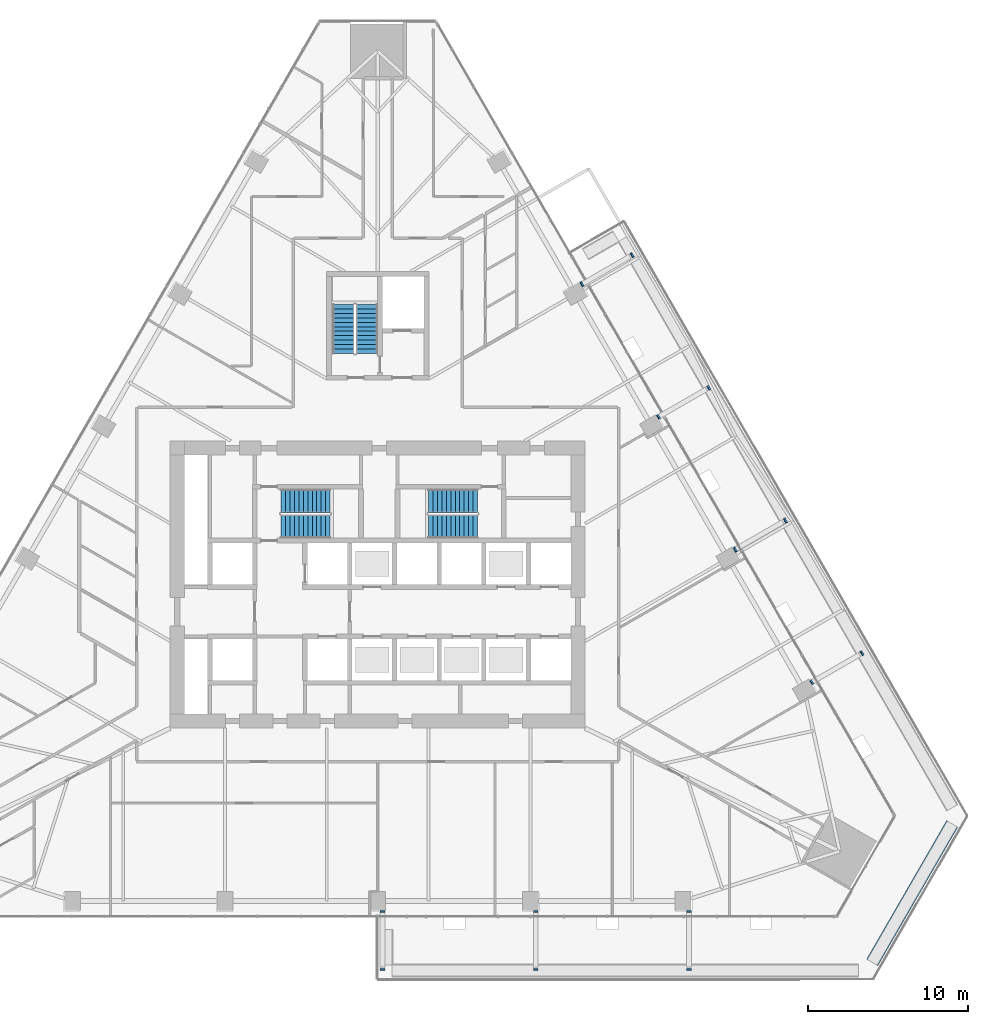
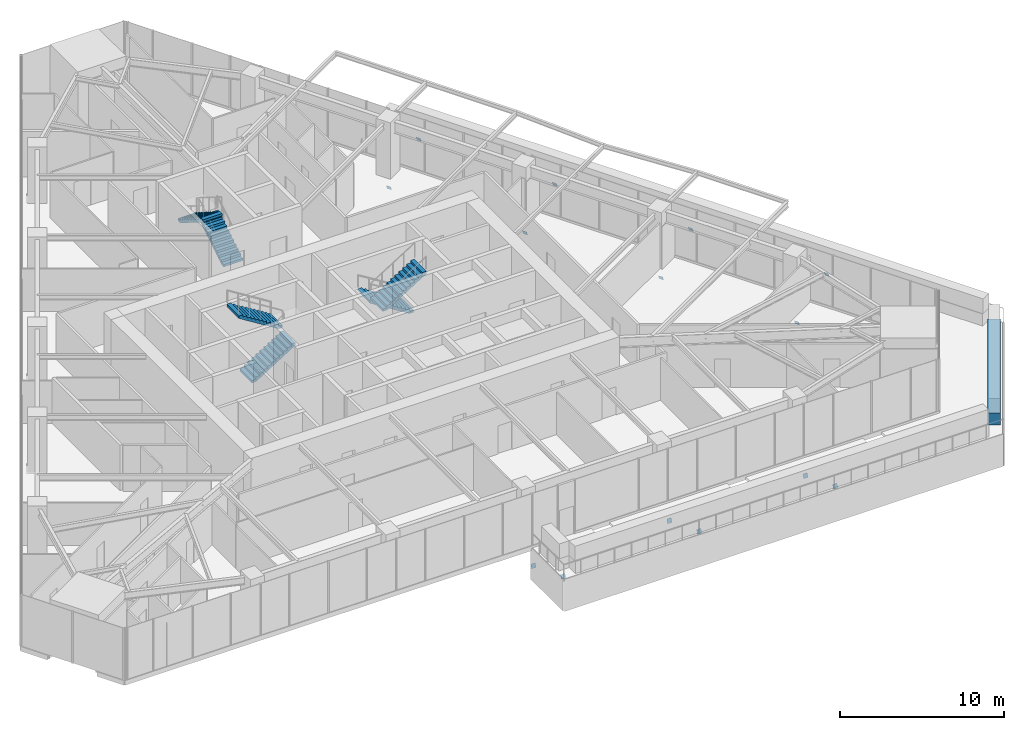
# One storey, part 26 of 29: 14 discrete accessories, 6 stair flights, 1 wall, 3 elements without a shape of their own.
"""IFC4 building model written with IfcOpenShell, lengths in metres."""

from ifc_helpers import new_model, si_unit, direction, frame, frame_2d, origin, place, context, subcontext, project, spatial, polyline, rectangle, outline, extrude, material, layer, layer_set, type_object, element, aggregate, save


model = new_model("IFC4")

# Units and contexts
model_context = context("Model", 3, precision=1e-05, world=origin(), true_north=direction((0.0, 1.0)))
body_context = subcontext(model_context, "Body", "Model", "MODEL_VIEW")
ifc_project = project(units=[si_unit("LENGTHUNIT", "METRE"), si_unit("AREAUNIT", "SQUARE_METRE"), si_unit("VOLUMEUNIT", "CUBIC_METRE"), si_unit("PLANEANGLEUNIT", "RADIAN"), si_unit("MASSUNIT", "GRAM", prefix="KILO")], contexts=[model_context])

# Site, building, storey
site_placement = place(None, origin())
site = spatial("IfcSite", under=ifc_project, at=site_placement, CompositionType="ELEMENT")
building_placement = place(site_placement, origin())
building = spatial("IfcBuilding", under=site, at=building_placement, Name="Firuza Gate Tower and Library", CompositionType="ELEMENT")
storey_placement = place(building_placement, frame((0.0, 0.0, 48.39990234375)))
storey = spatial("IfcBuildingStorey", under=building, at=storey_placement, Name="L10", CompositionType="ELEMENT", Elevation=48.39990234375)

# Wall
ifc_material_1 = material(Name="Concrete C40/50", Category="concrete")
ifc_layer_1 = layer(ifc_material_1, 0.800048828125)
ifc_layer_set_1 = layer_set([ifc_layer_1], Name="Planter wall 800")
wall_type = type_object("IfcWallType", Name="Planter wall 800", PredefinedType="SOLIDWALL", material=ifc_layer_set_1)
wall_placement = place(storey_placement, frame((105.98486328125, 51.32666015625, 0.0), z_axis=(0.0, 0.0, 1.0), x_axis=(0.49999175339, 0.866030164915, 0.0)))
element("IfcWall", 1, at=wall_placement, inside=storey, type_object=wall_type, Name="PLANTER L10 3", PredefinedType="SOLIDWALL", context=body_context, shape_type="SweptSolid", body=[
    extrude(rectangle(XDim=10.018798828125, YDim=0.800048828125, at=frame_2d((5.00927734375, 0.0))), origin(), (0.0, 0.0, 1.0), 0.900146484375),
])

# Stair, stair flights
ifc_material_2 = material(Name="Concrete C35/45", Category="concrete")
stair_type_1 = type_object("IfcStairType", Name="Exit stair ST14", PredefinedType="HALF_TURN_STAIR", material=ifc_material_2)
placement = place(storey_placement, origin())
stair_1 = element("IfcStair", 2, at=placement, inside=storey, type_object=stair_type_1, Name="L10 Stair ST3", PredefinedType="HALF_TURN_STAIR")
ifc_material_3 = material(Name="Concrete C35/45", Category="concrete")
stair_flight_type_1 = type_object("IfcStairFlightType", Name="Stair flight 12 risers 175 width 1370", PredefinedType="STRAIGHT", material=ifc_material_3)
stair_flight_1_placement = place(storey_placement, frame((74.31494140625, 89.469970703125, 0.0), z_axis=(0.0, 0.0, 1.0), x_axis=(0.0, 1.0, 0.0)))
stair_flight_1 = element("IfcStairFlight", 3, at=stair_flight_1_placement, type_object=stair_flight_type_1, Name="ST3 flight 1", NumberOfRisers=12, NumberOfTreads=11, PredefinedType="STRAIGHT", RiserHeight=0.175, TreadLength=0.28, context=body_context, shape_type="SweptSolid", body=[
    extrude(outline(polyline([(0.0, 0.0), (0.0, 0.175048828125), (0.280029296875, 0.175048828125), (0.280029296875, 0.35009765625), (0.56005859375, 0.35009765625), (0.56005859375, 0.52490234375), (0.840087890625, 0.52490234375), (0.840087890625, 0.699951171875), (1.1201171875, 0.699951171875), (1.1201171875, 0.875), (1.39990234375, 0.875), (1.39990234375, 1.050048828125), (1.679931640625, 1.050048828125), (1.679931640625, 1.22509765625), (1.9599609375, 1.22509765625), (1.9599609375, 1.39990234375), (2.239990234375, 1.39990234375), (2.239990234375, 1.574951171875), (2.52001953125, 1.574951171875), (2.52001953125, 1.75), (2.800048828125, 1.75), (2.800048828125, 1.925048828125), (3.080078125, 1.925048828125), (3.080078125, 2.10009765625), (3.080078125, 1.748291015625), (0.28271484375, 0.0), (0.0, 0.0)])), frame((0.0, 0.68505859375, 0.0), z_axis=(0.0, -1.0, 0.0), x_axis=(1.0, 0.0, 0.0)), (0.0, 0.0, 1.0), 1.3701171875),
])
stair_flight_2_placement = place(storey_placement, frame((72.844970703125, 92.550048828125, 2.10009765625), z_axis=(0.0, 0.0, 1.0), x_axis=(0.0, -1.0, 0.0)))
stair_flight_2 = element("IfcStairFlight", 4, at=stair_flight_2_placement, type_object=stair_flight_type_1, Name="ST3 flight 2", NumberOfRisers=12, NumberOfTreads=11, PredefinedType="STRAIGHT", RiserHeight=0.175, TreadLength=0.28, context=body_context, shape_type="SweptSolid", body=[
    extrude(outline(polyline([(0.0, 0.0), (0.0, 0.175048828125), (0.280029296875, 0.175048828125), (0.280029296875, 0.35009765625), (0.56005859375, 0.35009765625), (0.56005859375, 0.52490234375), (0.840087890625, 0.52490234375), (0.840087890625, 0.699951171875), (1.1201171875, 0.699951171875), (1.1201171875, 0.875), (1.39990234375, 0.875), (1.39990234375, 1.050048828125), (1.679931640625, 1.050048828125), (1.679931640625, 1.22509765625), (1.9599609375, 1.22509765625), (1.9599609375, 1.39990234375), (2.239990234375, 1.39990234375), (2.239990234375, 1.574951171875), (2.52001953125, 1.574951171875), (2.52001953125, 1.75), (2.800048828125, 1.75), (2.800048828125, 1.925048828125), (3.080078125, 1.925048828125), (3.080078125, 2.10009765625), (3.080078125, 1.748291015625), (0.28271484375, 0.0), (0.0, 0.0)])), frame((0.0, 0.68505859375, 0.0), z_axis=(0.0, -1.0, 0.0), x_axis=(1.0, 0.0, 0.0)), (0.0, 0.0, 1.0), 1.3701171875),
])
aggregate(stair_1, [stair_flight_1, stair_flight_2])

ifc_material_4 = material(Name="Concrete C35/45", Category="concrete")
stair_type_2 = type_object("IfcStairType", Name="Exit stair ST5", PredefinedType="HALF_TURN_STAIR", material=ifc_material_4)
stair_2 = element("IfcStair", 5, at=placement, inside=storey, type_object=stair_type_2, Name="L10 Stair ST1", PredefinedType="HALF_TURN_STAIR")
ifc_material_5 = material(Name="Concrete C35/45", Category="concrete")
stair_flight_type_2 = type_object("IfcStairFlightType", Name="Stair flight 12 risers 175 width 1490", PredefinedType="STRAIGHT", material=ifc_material_5)
stair_flight_3_placement = place(storey_placement, frame((68.93994140625, 78.64501953125, 0.0), z_axis=(0.0, 0.0, 1.0), x_axis=(1.0, 0.0, 0.0)))
stair_flight_3 = element("IfcStairFlight", 6, at=stair_flight_3_placement, type_object=stair_flight_type_2, Name="ST1 flight 1", NumberOfRisers=12, NumberOfTreads=11, PredefinedType="STRAIGHT", RiserHeight=0.175, TreadLength=0.28, context=body_context, shape_type="SweptSolid", body=[
    extrude(outline(polyline([(0.0, 0.0), (0.0, 0.175048828125), (0.280029296875, 0.175048828125), (0.280029296875, 0.35009765625), (0.56005859375, 0.35009765625), (0.56005859375, 0.52490234375), (0.840087890625, 0.52490234375), (0.840087890625, 0.699951171875), (1.1201171875, 0.699951171875), (1.1201171875, 0.875), (1.39990234375, 0.875), (1.39990234375, 1.050048828125), (1.679931640625, 1.050048828125), (1.679931640625, 1.22509765625), (1.9599609375, 1.22509765625), (1.9599609375, 1.39990234375), (2.239990234375, 1.39990234375), (2.239990234375, 1.574951171875), (2.52001953125, 1.574951171875), (2.52001953125, 1.75), (2.800048828125, 1.75), (2.800048828125, 1.925048828125), (3.080078125, 1.925048828125), (3.080078125, 2.10009765625), (3.080078125, 1.748291015625), (0.28271484375, 0.0), (0.0, 0.0)])), frame((0.0, 0.7451171875, 0.0), z_axis=(0.0, -1.0, 0.0), x_axis=(1.0, 0.0, 0.0)), (0.0, 0.0, 1.0), 1.489990234375),
])
stair_flight_4_placement = place(storey_placement, frame((72.02001953125, 80.235107421875, 2.10009765625), z_axis=(0.0, 0.0, 1.0), x_axis=(-1.0, 0.0, 0.0)))
stair_flight_4 = element("IfcStairFlight", 7, at=stair_flight_4_placement, type_object=stair_flight_type_2, Name="ST1 flight 2", NumberOfRisers=12, NumberOfTreads=11, PredefinedType="STRAIGHT", RiserHeight=0.175, TreadLength=0.28, context=body_context, shape_type="SweptSolid", body=[
    extrude(outline(polyline([(0.0, 0.0), (0.0, 0.175048828125), (0.280029296875, 0.175048828125), (0.280029296875, 0.35009765625), (0.56005859375, 0.35009765625), (0.56005859375, 0.52490234375), (0.840087890625, 0.52490234375), (0.840087890625, 0.699951171875), (1.1201171875, 0.699951171875), (1.1201171875, 0.875), (1.39990234375, 0.875), (1.39990234375, 1.050048828125), (1.679931640625, 1.050048828125), (1.679931640625, 1.22509765625), (1.9599609375, 1.22509765625), (1.9599609375, 1.39990234375), (2.239990234375, 1.39990234375), (2.239990234375, 1.574951171875), (2.52001953125, 1.574951171875), (2.52001953125, 1.75), (2.800048828125, 1.75), (2.800048828125, 1.925048828125), (3.080078125, 1.925048828125), (3.080078125, 2.10009765625), (3.080078125, 1.748291015625), (0.28271484375, 0.0), (0.0, 0.0)])), frame((0.0, 0.7451171875, 0.0), z_axis=(0.0, -1.0, 0.0), x_axis=(1.0, 0.0, 0.0)), (0.0, 0.0, 1.0), 1.489990234375),
])
aggregate(stair_2, [stair_flight_3, stair_flight_4])

stair_3 = element("IfcStair", 8, at=placement, inside=storey, type_object=stair_type_2, Name="L10 Stair ST2", PredefinedType="HALF_TURN_STAIR")
stair_flight_5_placement = place(storey_placement, frame((81.260009765625, 80.235107421875, 0.0), z_axis=(0.0, 0.0, 1.0), x_axis=(-1.0, 0.0, 0.0)))
stair_flight_5 = element("IfcStairFlight", 9, at=stair_flight_5_placement, type_object=stair_flight_type_2, Name="ST2 flight 1", NumberOfRisers=12, NumberOfTreads=11, PredefinedType="STRAIGHT", RiserHeight=0.175, TreadLength=0.28, context=body_context, shape_type="SweptSolid", body=[
    extrude(outline(polyline([(0.0, 0.0), (0.0, 0.175048828125), (0.280029296875, 0.175048828125), (0.280029296875, 0.35009765625), (0.56005859375, 0.35009765625), (0.56005859375, 0.52490234375), (0.840087890625, 0.52490234375), (0.840087890625, 0.699951171875), (1.1201171875, 0.699951171875), (1.1201171875, 0.875), (1.39990234375, 0.875), (1.39990234375, 1.050048828125), (1.679931640625, 1.050048828125), (1.679931640625, 1.22509765625), (1.9599609375, 1.22509765625), (1.9599609375, 1.39990234375), (2.239990234375, 1.39990234375), (2.239990234375, 1.574951171875), (2.52001953125, 1.574951171875), (2.52001953125, 1.75), (2.800048828125, 1.75), (2.800048828125, 1.925048828125), (3.080078125, 1.925048828125), (3.080078125, 2.10009765625), (3.080078125, 1.748291015625), (0.28271484375, 0.0), (0.0, 0.0)])), frame((0.0, 0.7451171875, 0.0), z_axis=(0.0, -1.0, 0.0), x_axis=(1.0, 0.0, 0.0)), (0.0, 0.0, 1.0), 1.489990234375),
])
stair_flight_6_placement = place(storey_placement, frame((78.179931640625, 78.64501953125, 2.10009765625), z_axis=(0.0, 0.0, 1.0), x_axis=(1.0, 0.0, 0.0)))
stair_flight_6 = element("IfcStairFlight", 10, at=stair_flight_6_placement, type_object=stair_flight_type_2, Name="ST2 flight 2", NumberOfRisers=12, NumberOfTreads=11, PredefinedType="STRAIGHT", RiserHeight=0.175, TreadLength=0.28, context=body_context, shape_type="SweptSolid", body=[
    extrude(outline(polyline([(0.0, 0.0), (0.0, 0.175048828125), (0.280029296875, 0.175048828125), (0.280029296875, 0.35009765625), (0.56005859375, 0.35009765625), (0.56005859375, 0.52490234375), (0.840087890625, 0.52490234375), (0.840087890625, 0.699951171875), (1.1201171875, 0.699951171875), (1.1201171875, 0.875), (1.39990234375, 0.875), (1.39990234375, 1.050048828125), (1.679931640625, 1.050048828125), (1.679931640625, 1.22509765625), (1.9599609375, 1.22509765625), (1.9599609375, 1.39990234375), (2.239990234375, 1.39990234375), (2.239990234375, 1.574951171875), (2.52001953125, 1.574951171875), (2.52001953125, 1.75), (2.800048828125, 1.75), (2.800048828125, 1.925048828125), (3.080078125, 1.925048828125), (3.080078125, 2.10009765625), (3.080078125, 1.748291015625), (0.28271484375, 0.0), (0.0, 0.0)])), frame((0.0, 0.7451171875, 0.0), z_axis=(0.0, -1.0, 0.0), x_axis=(1.0, 0.0, 0.0)), (0.0, 0.0, 1.0), 1.489990234375),
])
aggregate(stair_3, [stair_flight_5, stair_flight_6])

# Discrete accessories
ifc_material_6 = material(Name="Steel S355", Category="steel")
ifc_layer_2 = layer(ifc_material_6, 0.02001953125)
ifc_layer_set_2 = layer_set([ifc_layer_2], Name="Strut seat plate 304x304x20 Steel S355")
discrete_accessory_type = type_object("IfcDiscreteAccessoryType", Name="Strut seat plate 304x304x20 Steel S355", PredefinedType="BRACKET", material=ifc_layer_set_2)
discrete_accessory_1_placement = place(storey_placement, frame((75.451904296875, 54.55419921875, -1.535400390625), z_axis=(0.0, -0.931869039224, 0.362794836976), x_axis=(-1.0, 0.0, 0.0)))
element("IfcDiscreteAccessory", 11, at=discrete_accessory_1_placement, inside=storey, type_object=discrete_accessory_type, Name="Strut seat plate L10 col:L09:S3", PredefinedType="BRACKET", context=body_context, shape_type="SweptSolid", body=[
    extrude(outline(polyline([(0.0, 0.0), (0.303955078125, 0.0), (0.303955078125, 0.30417070821576603), (0.0, 0.30417070821576603), (0.0, 0.0)])), origin(), (0.0, 0.0, -1.0), 0.02001953125),
])
discrete_accessory_2_placement = place(storey_placement, frame((75.14794921875, 50.916748046875, -0.12109375), z_axis=(0.0, -0.932034825678, 0.362368712397), x_axis=(1.0, 0.0, 0.0)))
element("IfcDiscreteAccessory", 12, at=discrete_accessory_2_placement, inside=storey, type_object=discrete_accessory_type, Name="Strut seat plate L10 col:L09:S3", PredefinedType="BRACKET", context=body_context, shape_type="SweptSolid", body=[
    extrude(outline(polyline([(0.0, 0.0), (0.303955078125, 0.0), (0.303955078125, -0.30385465993090327), (0.0, -0.30385465993090327), (0.0, 0.0)])), origin(), (0.0, 0.0, -1.0), 0.02001953125),
])
discrete_accessory_3_placement = place(storey_placement, frame((85.052001953125, 54.55419921875, -1.535400390625), z_axis=(0.0, -0.931869039224, 0.362794836976), x_axis=(-1.0, 0.0, 0.0)))
element("IfcDiscreteAccessory", 13, at=discrete_accessory_3_placement, inside=storey, type_object=discrete_accessory_type, Name="Strut seat plate L10 col:L09:S4", PredefinedType="BRACKET", context=body_context, shape_type="SweptSolid", body=[
    extrude(outline(polyline([(0.0, 0.0), (0.303955078125, 0.0), (0.303955078125, 0.30417070821576603), (0.0, 0.30417070821576603), (0.0, 0.0)])), origin(), (0.0, 0.0, -1.0), 0.02001953125),
])
discrete_accessory_4_placement = place(storey_placement, frame((84.748046875, 50.916748046875, -0.12109375), z_axis=(0.0, -0.932034825678, 0.362368712397), x_axis=(1.0, 0.0, 0.0)))
element("IfcDiscreteAccessory", 14, at=discrete_accessory_4_placement, inside=storey, type_object=discrete_accessory_type, Name="Strut seat plate L10 col:L09:S4", PredefinedType="BRACKET", context=body_context, shape_type="SweptSolid", body=[
    extrude(outline(polyline([(0.0, 0.0), (0.303955078125, 0.0), (0.303955078125, -0.30385465993090327), (0.0, -0.30385465993090327), (0.0, 0.0)])), origin(), (0.0, 0.0, -1.0), 0.02001953125),
])
discrete_accessory_5_placement = place(storey_placement, frame((94.652099609375, 54.55419921875, -1.535400390625), z_axis=(0.0, -0.931869039224, 0.362794836976), x_axis=(-1.0, 0.0, 0.0)))
element("IfcDiscreteAccessory", 15, at=discrete_accessory_5_placement, inside=storey, type_object=discrete_accessory_type, Name="Strut seat plate L10 col:L09:S5", PredefinedType="BRACKET", context=body_context, shape_type="SweptSolid", body=[
    extrude(outline(polyline([(0.0, 0.0), (0.30419921875, 0.0), (0.30419921875, 0.3041707082157661), (0.0, 0.3041707082157661), (0.0, 0.0)])), origin(), (0.0, 0.0, -1.0), 0.02001953125),
])
discrete_accessory_6_placement = place(storey_placement, frame((94.347900390625, 50.916748046875, -0.12109375), z_axis=(0.0, -0.932034825678, 0.362368712397), x_axis=(1.0, 0.0, 0.0)))
element("IfcDiscreteAccessory", 16, at=discrete_accessory_6_placement, inside=storey, type_object=discrete_accessory_type, Name="Strut seat plate L10 col:L09:S5", PredefinedType="BRACKET", context=body_context, shape_type="SweptSolid", body=[
    extrude(outline(polyline([(0.0, 0.0), (0.30419921875, 0.0), (0.30419921875, -0.30385465993090327), (0.0, -0.30385465993090327), (0.0, 0.0)])), origin(), (0.0, 0.0, -1.0), 0.02001953125),
])
discrete_accessory_7_placement = place(storey_placement, frame((102.08056640625, 68.98681640625, -1.535400390625), z_axis=(0.807065000242, 0.466204446129, 0.362352728421), x_axis=(0.500174513809, -0.865924622089, 6.7792295e-05)))
element("IfcDiscreteAccessory", 17, at=discrete_accessory_7_placement, inside=storey, type_object=discrete_accessory_type, Name="Strut seat plate L10 col:L09:E1", PredefinedType="BRACKET", context=body_context, shape_type="SweptSolid", body=[
    extrude(outline(polyline([(0.0, 0.0), (0.3041849095061368, -6.938893903907228e-18), (0.3041337775364572, 0.304136698001982), (0.00016027540876014529, 0.30409246341043505), (0.0, 0.0)])), origin(), (0.0, 0.0, -1.0), 0.02001953125),
])
discrete_accessory_8_placement = place(storey_placement, frame((105.382568359375, 70.5419921875, -0.12109375), z_axis=(0.807237427615, 0.465929808707, 0.362321885644), x_axis=(-0.499833883094, 0.866121270386, -0.000185193903)))
element("IfcDiscreteAccessory", 18, at=discrete_accessory_8_placement, inside=storey, type_object=discrete_accessory_type, Name="Strut seat plate L10 col:L09:E1", PredefinedType="BRACKET", context=body_context, shape_type="SweptSolid", body=[
    extrude(outline(polyline([(0.0, 0.0), (0.30406287256605147, 0.0), (0.30410117734079045, -0.3037883078732492), (0.00012773040640198224, -0.3039091214081182), (0.0, 0.0)])), origin(), (0.0, 0.0, -1.0), 0.02001953125),
])
discrete_accessory_9_placement = place(storey_placement, frame((97.28076171875, 77.300537109375, -1.535400390625), z_axis=(0.807328680114, 0.465982478786, 0.362050730879), x_axis=(0.499879541517, -0.86609493793, 4.9649318e-05)))
element("IfcDiscreteAccessory", 19, at=discrete_accessory_9_placement, inside=storey, type_object=discrete_accessory_type, Name="Strut seat plate L10 col:L09:E2", PredefinedType="BRACKET", context=body_context, shape_type="SweptSolid", body=[
    extrude(outline(polyline([(0.0, 0.0), (0.3038514203886584, -6.938893903907228e-18), (0.30397932489075313, 0.3040924812193591), (-0.00020558536105154057, 0.3040600955330893), (0.0, 0.0)])), origin(), (0.0, 0.0, -1.0), 0.02001953125),
])
discrete_accessory_10_placement = place(storey_placement, frame((100.58251953125, 78.85595703125, -0.12109375), z_axis=(0.807297615918, 0.465590280112, 0.362624117232), x_axis=(-0.499617830402, 0.866245934446, 6.7828057e-05)))
element("IfcDiscreteAccessory", 20, at=discrete_accessory_10_placement, inside=storey, type_object=discrete_accessory_type, Name="Strut seat plate L10 col:L09:E2", PredefinedType="BRACKET", context=body_context, shape_type="SweptSolid", body=[
    extrude(outline(polyline([(0.0, 0.0), (0.30385141793030745, 6.938893903907228e-18), (0.3039349943343151, -0.30390917118279887), (-0.000127909419831595, -0.3038649260089385), (0.0, 0.0)])), origin(), (0.0, 0.0, -1.0), 0.02001953125),
])
discrete_accessory_11_placement = place(storey_placement, frame((92.480712890625, 85.614501953125, -1.535400390625), z_axis=(0.807389027558, 0.465642999667, 0.362352804651), x_axis=(0.499572155029, -0.866272276673, 6.7737836e-05)))
element("IfcDiscreteAccessory", 21, at=discrete_accessory_11_placement, inside=storey, type_object=discrete_accessory_type, Name="Strut seat plate L10 col:L09:E3", PredefinedType="BRACKET", context=body_context, shape_type="SweptSolid", body=[
    extrude(outline(polyline([(0.0, 0.0), (0.3040629069720726, 0.0), (0.30393510776808547, 0.3041366754621787), (8.369305105982846e-05, 0.30409249414364486), (0.0, 0.0)])), origin(), (0.0, 0.0, -1.0), 0.02001953125),
])
discrete_accessory_12_placement = place(storey_placement, frame((95.78271484375, 87.169677734375, -0.12109375), z_axis=(0.807237427615, 0.465929808707, 0.362321885644), x_axis=(-0.499912951067, 0.866075654255, 4.9626419e-05)))
element("IfcDiscreteAccessory", 22, at=discrete_accessory_12_placement, inside=storey, type_object=discrete_accessory_type, Name="Strut seat plate L10 col:L09:E3", PredefinedType="BRACKET", context=body_context, shape_type="SweptSolid", body=[
    extrude(outline(polyline([(0.0, 0.0), (0.30418491197645486, -6.938893903907228e-18), (0.3040246316283602, -0.30386491311730407), (0.00017321296375140698, -0.30383253870852944), (0.0, 0.0)])), origin(), (0.0, 0.0, -1.0), 0.02001953125),
])
discrete_accessory_13_placement = place(storey_placement, frame((87.6806640625, 93.92822265625, -1.535400390625), z_axis=(0.807328680114, 0.465982478786, 0.362050730879), x_axis=(0.499958509514, -0.866049337216, -0.000185130659)))
element("IfcDiscreteAccessory", 23, at=discrete_accessory_13_placement, inside=storey, type_object=discrete_accessory_type, Name="Strut seat plate L10 col:L09:E4", PredefinedType="BRACKET", context=body_context, shape_type="SweptSolid", body=[
    extrude(outline(polyline([(0.0, 0.0), (0.3039734709339328, 0.0), (0.304055906122434, 0.30401590920090005), (-6.942454980705599e-06, 0.3041366678271067), (0.0, 0.0)])), origin(), (0.0, 0.0, -1.0), 0.02001953125),
])
discrete_accessory_14_placement = place(storey_placement, frame((90.982666015625, 95.483642578125, -0.12109375), z_axis=(0.806973625326, 0.46615166303, 0.362624040962), x_axis=(-0.500220207533, 0.865898226911, 6.7882551e-05)))
element("IfcDiscreteAccessory", 24, at=discrete_accessory_14_placement, inside=storey, type_object=discrete_accessory_type, Name="Strut seat plate L10 col:L09:E4", PredefinedType="BRACKET", context=body_context, shape_type="SweptSolid", body=[
    extrude(outline(polyline([(0.0, 0.0), (0.30397350534743883, 1.3877787807814457e-17), (0.3039803789746254, -0.3039091825841892), (-0.00020452730711793783, -0.3038648840850547), (0.0, 0.0)])), origin(), (0.0, 0.0, -1.0), 0.02001953125),
])

save(model, "model.ifc")
